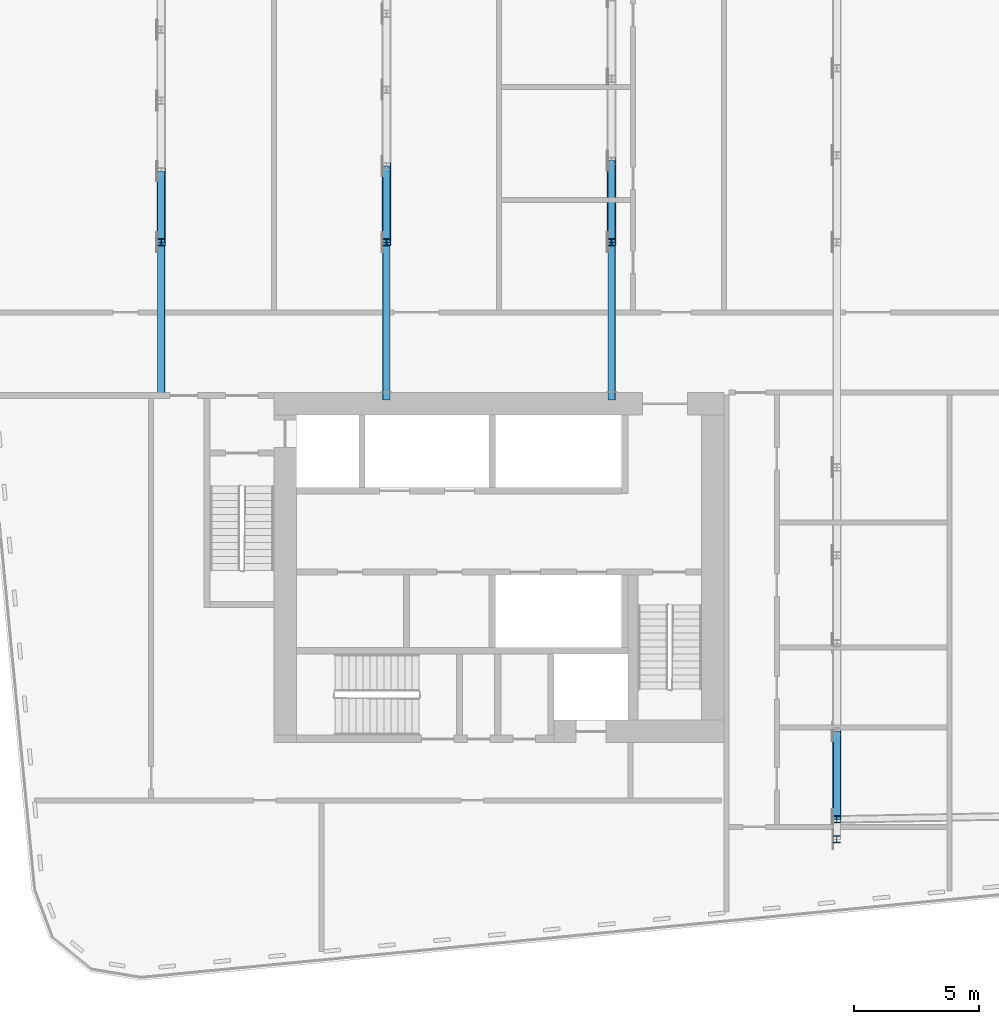
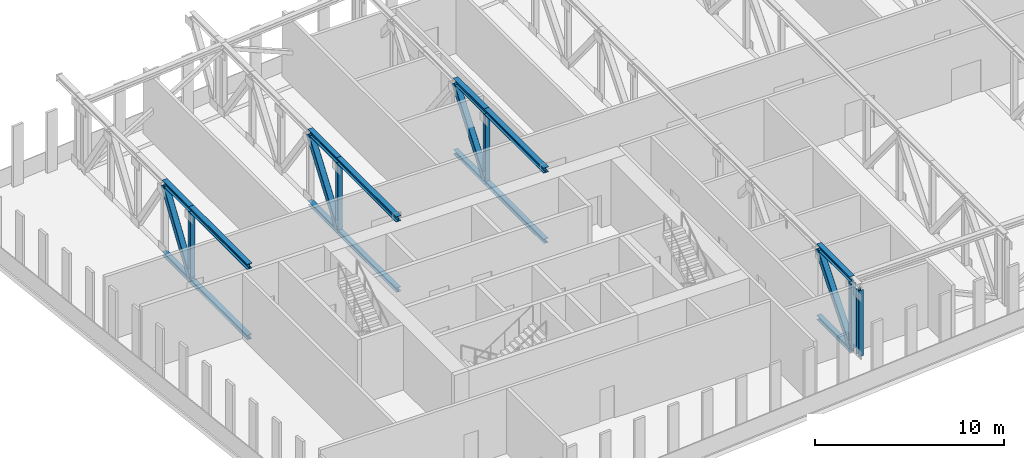
# One storey, part 1 of 26: 23 members.
"""IFC4 building model written with IfcOpenShell, lengths in metres."""

from ifc_helpers import new_model, si_unit, direction, frame, origin, origin_2d, place, context, subcontext, project, spatial, hollow_rectangle, i_section, extrude, material, material_profile, profile_set, type_object, element, save


model = new_model("IFC4")

# Units and contexts
model_context = context("Model", 3, precision=1e-05, world=origin(), true_north=direction((0.0, 1.0)))
body_context = subcontext(model_context, "Body", "Model", "MODEL_VIEW")
ifc_project = project(units=[si_unit("LENGTHUNIT", "METRE"), si_unit("AREAUNIT", "SQUARE_METRE"), si_unit("VOLUMEUNIT", "CUBIC_METRE"), si_unit("PLANEANGLEUNIT", "RADIAN"), si_unit("MASSUNIT", "GRAM", prefix="KILO")], contexts=[model_context])

# Site, building, storey
site_placement = place(None, origin())
site = spatial("IfcSite", under=ifc_project, at=site_placement, CompositionType="ELEMENT")
building_placement = place(site_placement, origin())
building = spatial("IfcBuilding", under=site, at=building_placement, Name="Kajstack Hotel Tower", CompositionType="ELEMENT")
storey_placement = place(building_placement, frame((0.0, 0.0, 206.5)))
storey = spatial("IfcBuildingStorey", under=building, at=storey_placement, Name="L50", CompositionType="ELEMENT", Elevation=206.5)

# Members
ifc_material = material(Name="Steel S355J2", Category="steel")
ifc_material_profile_1 = material_profile(ifc_material, i_section(OverallWidth=0.280029296875, OverallDepth=0.280029296875, WebThickness=0.010498046875, FlangeThickness=0.01806640625, FilletRadius=0.02392578125, at=origin_2d()), Name="HEB 280")
ifc_profile_set_1 = profile_set([ifc_material_profile_1], Name="Steel S355J2")
member_type_1 = type_object("IfcMemberType", Name="Belt truss bottom chord BC4 HEB 280", PredefinedType="CHORD", material=ifc_profile_set_1)
member_1_placement = place(storey_placement, frame((-36.0, -1.64990234375, -0.139892578125), z_axis=(0.0, 1.0, 0.0), x_axis=(-1.0, 0.0, 0.0)))
element("IfcMember", 1, at=member_1_placement, inside=storey, type_object=member_type_1, Name="S-belt-truss-L50--36p0-1-bc8", PredefinedType="CHORD", context=body_context, shape_type="SweptSolid", body=[
    extrude(i_section(OverallWidth=0.280029296875, OverallDepth=0.280029296875, WebThickness=0.010498046875, FlangeThickness=0.01806640625, FilletRadius=0.02392578125, at=origin_2d()), origin(), (0.0, 0.0, 1.0), 6.14990234375),
])
member_2_placement = place(storey_placement, frame((-36.0, 4.5, -0.139892578125), z_axis=(0.0, 1.0, 0.0), x_axis=(-1.0, 0.0, 0.0)))
element("IfcMember", 2, at=member_2_placement, inside=storey, type_object=member_type_1, Name="S-belt-truss-L50--36p0-1-bc9", PredefinedType="CHORD", context=body_context, shape_type="SweptSolid", body=[
    extrude(i_section(OverallWidth=0.280029296875, OverallDepth=0.280029296875, WebThickness=0.010498046875, FlangeThickness=0.01806640625, FilletRadius=0.02392578125, at=origin_2d()), origin(), (0.0, 0.0, 1.0), 2.830810546875),
])
member_3_placement = place(storey_placement, frame((-27.0, -1.800048828125, -0.139892578125), z_axis=(0.0, 1.0, 0.0), x_axis=(-1.0, 0.0, 0.0)))
element("IfcMember", 3, at=member_3_placement, inside=storey, type_object=member_type_1, Name="S-outrigger-truss-L50--27p0-1-bc8", PredefinedType="CHORD", context=body_context, shape_type="SweptSolid", body=[
    extrude(i_section(OverallWidth=0.280029296875, OverallDepth=0.280029296875, WebThickness=0.010498046875, FlangeThickness=0.01806640625, FilletRadius=0.02392578125, at=origin_2d()), origin(), (0.0, 0.0, 1.0), 6.300048828125),
])
member_4_placement = place(storey_placement, frame((-27.0, 4.5, -0.139892578125), z_axis=(0.0, 1.0, 0.0), x_axis=(-1.0, 0.0, 0.0)))
element("IfcMember", 4, at=member_4_placement, inside=storey, type_object=member_type_1, Name="S-outrigger-truss-L50--27p0-1-bc9", PredefinedType="CHORD", context=body_context, shape_type="SweptSolid", body=[
    extrude(i_section(OverallWidth=0.280029296875, OverallDepth=0.280029296875, WebThickness=0.010498046875, FlangeThickness=0.01806640625, FilletRadius=0.02392578125, at=origin_2d()), origin(), (0.0, 0.0, 1.0), 3.04736328125),
])
member_5_placement = place(storey_placement, frame((-18.0, -1.800048828125, -0.139892578125), z_axis=(0.0, 1.0, 0.0), x_axis=(-1.0, 0.0, 0.0)))
element("IfcMember", 5, at=member_5_placement, inside=storey, type_object=member_type_1, Name="S-outrigger-truss-L50--18p0-1-bc8", PredefinedType="CHORD", context=body_context, shape_type="SweptSolid", body=[
    extrude(i_section(OverallWidth=0.280029296875, OverallDepth=0.280029296875, WebThickness=0.010498046875, FlangeThickness=0.01806640625, FilletRadius=0.02392578125, at=origin_2d()), origin(), (0.0, 0.0, 1.0), 6.300048828125),
])
member_6_placement = place(storey_placement, frame((-18.0, 4.5, -0.139892578125), z_axis=(0.0, 1.0, 0.0), x_axis=(-1.0, 0.0, 0.0)))
element("IfcMember", 6, at=member_6_placement, inside=storey, type_object=member_type_1, Name="S-outrigger-truss-L50--18p0-1-bc9", PredefinedType="CHORD", context=body_context, shape_type="SweptSolid", body=[
    extrude(i_section(OverallWidth=0.280029296875, OverallDepth=0.280029296875, WebThickness=0.010498046875, FlangeThickness=0.01806640625, FilletRadius=0.02392578125, at=origin_2d()), origin(), (0.0, 0.0, 1.0), 3.26416015625),
])
member_7_placement = place(storey_placement, frame((-9.0, -18.5625, -0.139892578125), z_axis=(0.0, 1.0, 0.0), x_axis=(-1.0, 0.0, 0.0)))
element("IfcMember", 7, at=member_7_placement, inside=storey, type_object=member_type_1, Name="S-belt-truss-L50--9p0-1-bc14", PredefinedType="CHORD", context=body_context, shape_type="SweptSolid", body=[
    extrude(i_section(OverallWidth=0.280029296875, OverallDepth=0.280029296875, WebThickness=0.010498046875, FlangeThickness=0.01806640625, FilletRadius=0.02392578125, at=origin_2d()), origin(), (0.0, 0.0, 1.0), 3.515625),
])
ifc_material_profile_2 = material_profile(ifc_material, hollow_rectangle(XDim=0.35009765625, YDim=0.35009765625, WallThickness=0.01611328125, InnerFilletRadius=0.01611328125, OuterFilletRadius=0.02392578125, at=origin_2d()), Name="SHS 350x350x16")
ifc_profile_set_2 = profile_set([ifc_material_profile_2], Name="Steel S355J2")
member_type_2 = type_object("IfcMemberType", Name="Belt truss diagonal DG4 SHS 350x350x16", PredefinedType="BRACE", material=ifc_profile_set_2)
member_8_placement = place(storey_placement, frame((-36.0, 4.5, 0.0), z_axis=(0.0, 0.553454866624, 0.832879169274), x_axis=(-1.0, 0.0, 0.0)))
element("IfcMember", 8, at=member_8_placement, inside=storey, type_object=member_type_2, Name="S-belt-truss-L50--36p0-1-dg20", PredefinedType="BRACE", context=body_context, shape_type="SweptSolid", body=[
    extrude(hollow_rectangle(XDim=0.35009765625, YDim=0.35009765625, WallThickness=0.01611328125, InnerFilletRadius=0.01611328125, OuterFilletRadius=0.02392578125, at=origin_2d()), origin(), (0.0, 0.0, 1.0), 5.11474609375),
])
member_9_placement = place(storey_placement, frame((-27.0, 4.5, 0.0), z_axis=(0.0, 0.581806840055, 0.813326995043), x_axis=(-1.0, 0.0, 0.0)))
element("IfcMember", 9, at=member_9_placement, inside=storey, type_object=member_type_2, Name="S-outrigger-truss-L50--27p0-1-dg20", PredefinedType="BRACE", context=body_context, shape_type="SweptSolid", body=[
    extrude(hollow_rectangle(XDim=0.35009765625, YDim=0.35009765625, WallThickness=0.01611328125, InnerFilletRadius=0.01611328125, OuterFilletRadius=0.02392578125, at=origin_2d()), origin(), (0.0, 0.0, 1.0), 5.23779296875),
])
member_10_placement = place(storey_placement, frame((-18.0, 4.5, 0.0), z_axis=(0.0, 0.608214730374, 0.793772537794), x_axis=(-1.0, 0.0, 0.0)))
element("IfcMember", 10, at=member_10_placement, inside=storey, type_object=member_type_2, Name="S-outrigger-truss-L50--18p0-1-dg20", PredefinedType="BRACE", context=body_context, shape_type="SweptSolid", body=[
    extrude(hollow_rectangle(XDim=0.35009765625, YDim=0.35009765625, WallThickness=0.01611328125, InnerFilletRadius=0.01611328125, OuterFilletRadius=0.02392578125, at=origin_2d()), origin(), (0.0, 0.0, 1.0), 5.36669921875),
])
member_11_placement = place(storey_placement, frame((-9.0, -18.5625, 0.0), z_axis=(0.0, 0.636503272762, 0.771274000446), x_axis=(-1.0, 0.0, 0.0)))
element("IfcMember", 11, at=member_11_placement, inside=storey, type_object=member_type_2, Name="S-belt-truss-L50--9p0-1-dg36", PredefinedType="BRACE", context=body_context, shape_type="SweptSolid", body=[
    extrude(hollow_rectangle(XDim=0.35009765625, YDim=0.35009765625, WallThickness=0.01611328125, InnerFilletRadius=0.01611328125, OuterFilletRadius=0.02392578125, at=origin_2d()), origin(), (0.0, 0.0, 1.0), 5.5234375),
])
ifc_material_profile_3 = material_profile(ifc_material, i_section(OverallWidth=0.280029296875, OverallDepth=0.280029296875, WebThickness=0.010498046875, FlangeThickness=0.01806640625, FilletRadius=0.02392578125, at=origin_2d()), Name="HEB 280")
ifc_profile_set_3 = profile_set([ifc_material_profile_3], Name="Steel S355J2")
member_type_3 = type_object("IfcMemberType", Name="Belt truss post PO4 HEB 280", PredefinedType="POST", material=ifc_profile_set_3)
for number, where, z_axis, x_axis, name in (
    (12, (-36.0, 4.5, 0.0), (0.0, 0.0, 1.0), (1.0, 0.0, 0.0), "S-belt-truss-L50--36p0-1-po14"),
    (13, (-27.0, 4.5, 0.0), (0.0, 0.0, 1.0), (1.0, 0.0, 0.0), "S-outrigger-truss-L50--27p0-1-po14"),
    (14, (-18.0, 4.5, 0.0), (0.0, 0.0, 1.0), (1.0, 0.0, 0.0), "S-outrigger-truss-L50--18p0-1-po14"),
    (15, (-9.0, -19.362548828125, 0.0), (0.0, 0.0, 1.0), (1.0, 0.0, 0.0), "S-belt-truss-L50--9p0-1-po24"),
    (16, (-9.0, -18.5625, 0.0), (0.0, 0.0, 1.0), (1.0, 0.0, 0.0), "S-belt-truss-L50--9p0-1-po25"),
):
    element("IfcMember", number, at=place(storey_placement, frame(where, z_axis=z_axis, x_axis=x_axis)), inside=storey, type_object=member_type_3, Name=name, PredefinedType="POST", context=body_context, shape_type="SweptSolid", body=[
        extrude(i_section(OverallWidth=0.280029296875, OverallDepth=0.280029296875, WebThickness=0.010498046875, FlangeThickness=0.01806640625, FilletRadius=0.02392578125, at=origin_2d()), origin(), (0.0, 0.0, 1.0), 4.260009765625),
    ])
ifc_material_profile_4 = material_profile(ifc_material, i_section(OverallWidth=0.300048828125, OverallDepth=0.340087890625, WebThickness=0.011962890625, FlangeThickness=0.021484375, FilletRadius=0.027099609375, at=origin_2d()), Name="HEB 340")
ifc_profile_set_4 = profile_set([ifc_material_profile_4], Name="Steel S355J2")
member_type_4 = type_object("IfcMemberType", Name="Belt truss top chord TC4 HEB 340", PredefinedType="CHORD", material=ifc_profile_set_4)
member_12_placement = place(storey_placement, frame((-36.0, -1.64990234375, 4.429931640625), z_axis=(0.0, 1.0, 0.0), x_axis=(-1.0, 0.0, 0.0)))
element("IfcMember", 17, at=member_12_placement, inside=storey, type_object=member_type_4, Name="S-belt-truss-L50--36p0-1-tc1", PredefinedType="CHORD", context=body_context, shape_type="SweptSolid", body=[
    extrude(i_section(OverallWidth=0.300048828125, OverallDepth=0.340087890625, WebThickness=0.011962890625, FlangeThickness=0.021484375, FilletRadius=0.027099609375, at=origin_2d()), origin(), (0.0, 0.0, 1.0), 6.14990234375),
])
member_13_placement = place(storey_placement, frame((-36.0, 4.5, 4.429931640625), z_axis=(0.0, 1.0, 0.0), x_axis=(-1.0, 0.0, 0.0)))
element("IfcMember", 18, at=member_13_placement, inside=storey, type_object=member_type_4, Name="S-belt-truss-L50--36p0-1-tc2", PredefinedType="CHORD", context=body_context, shape_type="SweptSolid", body=[
    extrude(i_section(OverallWidth=0.300048828125, OverallDepth=0.340087890625, WebThickness=0.011962890625, FlangeThickness=0.021484375, FilletRadius=0.027099609375, at=origin_2d()), origin(), (0.0, 0.0, 1.0), 2.830810546875),
])
member_14_placement = place(storey_placement, frame((-27.0, -1.800048828125, 4.429931640625), z_axis=(0.0, 1.0, 0.0), x_axis=(-1.0, 0.0, 0.0)))
element("IfcMember", 19, at=member_14_placement, inside=storey, type_object=member_type_4, Name="S-outrigger-truss-L50--27p0-1-tc1", PredefinedType="CHORD", context=body_context, shape_type="SweptSolid", body=[
    extrude(i_section(OverallWidth=0.300048828125, OverallDepth=0.340087890625, WebThickness=0.011962890625, FlangeThickness=0.021484375, FilletRadius=0.027099609375, at=origin_2d()), origin(), (0.0, 0.0, 1.0), 6.300048828125),
])
member_15_placement = place(storey_placement, frame((-27.0, 4.5, 4.429931640625), z_axis=(0.0, 1.0, 0.0), x_axis=(-1.0, 0.0, 0.0)))
element("IfcMember", 20, at=member_15_placement, inside=storey, type_object=member_type_4, Name="S-outrigger-truss-L50--27p0-1-tc2", PredefinedType="CHORD", context=body_context, shape_type="SweptSolid", body=[
    extrude(i_section(OverallWidth=0.300048828125, OverallDepth=0.340087890625, WebThickness=0.011962890625, FlangeThickness=0.021484375, FilletRadius=0.027099609375, at=origin_2d()), origin(), (0.0, 0.0, 1.0), 3.04736328125),
])
member_16_placement = place(storey_placement, frame((-18.0, -1.800048828125, 4.429931640625), z_axis=(0.0, 1.0, 0.0), x_axis=(-1.0, 0.0, 0.0)))
element("IfcMember", 21, at=member_16_placement, inside=storey, type_object=member_type_4, Name="S-outrigger-truss-L50--18p0-1-tc1", PredefinedType="CHORD", context=body_context, shape_type="SweptSolid", body=[
    extrude(i_section(OverallWidth=0.300048828125, OverallDepth=0.340087890625, WebThickness=0.011962890625, FlangeThickness=0.021484375, FilletRadius=0.027099609375, at=origin_2d()), origin(), (0.0, 0.0, 1.0), 6.300048828125),
])
member_17_placement = place(storey_placement, frame((-18.0, 4.5, 4.429931640625), z_axis=(0.0, 1.0, 0.0), x_axis=(-1.0, 0.0, 0.0)))
element("IfcMember", 22, at=member_17_placement, inside=storey, type_object=member_type_4, Name="S-outrigger-truss-L50--18p0-1-tc2", PredefinedType="CHORD", context=body_context, shape_type="SweptSolid", body=[
    extrude(i_section(OverallWidth=0.300048828125, OverallDepth=0.340087890625, WebThickness=0.011962890625, FlangeThickness=0.021484375, FilletRadius=0.027099609375, at=origin_2d()), origin(), (0.0, 0.0, 1.0), 3.26416015625),
])
member_18_placement = place(storey_placement, frame((-9.0, -18.5625, 4.429931640625), z_axis=(0.0, 1.0, 0.0), x_axis=(-1.0, 0.0, 0.0)))
element("IfcMember", 23, at=member_18_placement, inside=storey, type_object=member_type_4, Name="S-belt-truss-L50--9p0-1-tc2", PredefinedType="CHORD", context=body_context, shape_type="SweptSolid", body=[
    extrude(i_section(OverallWidth=0.300048828125, OverallDepth=0.340087890625, WebThickness=0.011962890625, FlangeThickness=0.021484375, FilletRadius=0.027099609375, at=origin_2d()), origin(), (0.0, 0.0, 1.0), 3.515625),
])

save(model, "model.ifc")
